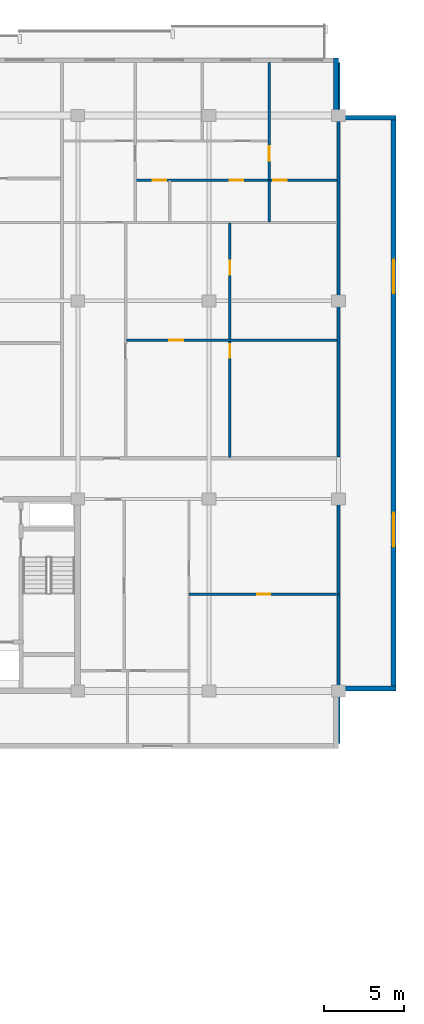
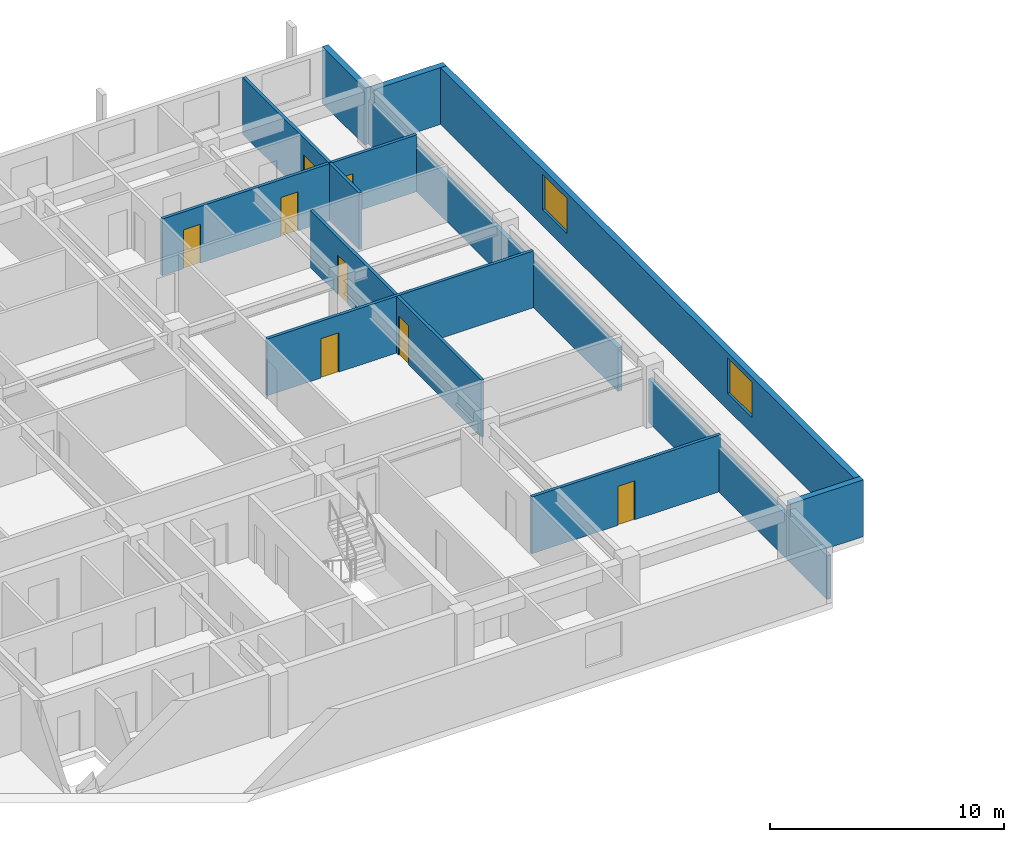
# One storey, part 17 of 23: 12 walls, 8 doors, 2 windows, 10 openings.
"""IFC4 building model written with IfcOpenShell, lengths in metres."""

import ifcopenshell
import ifcopenshell.guid

model = None  # the IFC model being written
_history = None  # IfcOwnerHistory: only IFC2X3 demands one
_inside = {}  # id of a spatial element -> (the spatial element, [elements in it])
_under = {}  # id of a project, library or spatial element -> (it, [spatial elements below it])
_declared = {}  # id of a project -> (the project, [libraries it declares])
_typed = {}  # id of a type object -> (the type object, [elements of that type])
_made_of = {}  # id of a material, layer set ... -> (it, [elements and type objects made of it])


def new_model(schema):
    """Start an empty IFC model of exactly this schema.

    Asked for "IFC4X3", IfcOpenShell would pick the latest addendum, in which some entities
    have other attributes; the version numbers below select the first issue.
    IFC2X3 requires an IfcOwnerHistory on every rooted entity: one is made here for all.
    """
    global model, _history
    if schema == "IFC4X3":
        model = ifcopenshell.file(schema_version=(4, 3, 0, 0))
    else:
        model = ifcopenshell.file(schema=schema)
    _inside.clear()
    _under.clear()
    _declared.clear()
    _typed.clear()
    _made_of.clear()
    _history = None
    if model.schema == "IFC2X3":
        org = make("IfcOrganization", Name="unknown")
        user = make(
            "IfcPersonAndOrganization",
            ThePerson=make("IfcPerson", FamilyName="unknown"),
            TheOrganization=org,
        )
        app = make(
            "IfcApplication",
            ApplicationDeveloper=org,
            Version="unknown",
            ApplicationFullName="unknown",
            ApplicationIdentifier="unknown",
        )
        _history = make(
            "IfcOwnerHistory",
            OwningUser=user,
            OwningApplication=app,
            ChangeAction="ADDED",
            CreationDate=0,
        )
    return model


def make(cls, **values):
    """One entity of the class cls with the attributes given. An attribute that is None is left unset."""
    return model.create_entity(
        cls, **{name: value for name, value in values.items() if value is not None}
    )


def rooted(cls, **values):
    """An entity with a GlobalId (a new one), such as an element, a storey or a relation."""
    return make(cls, GlobalId=ifcopenshell.guid.new(), OwnerHistory=_history, **values)


def si_unit(unit_type, name, prefix=None):
    """IfcSIUnit, for example si_unit("LENGTHUNIT", "METRE", prefix="MILLI")."""
    return make("IfcSIUnit", UnitType=unit_type, Prefix=prefix, Name=name)


def assignment(units):
    """IfcUnitAssignment: the units of a project."""
    return None if units is None else make("IfcUnitAssignment", Units=units)


def point(xyz):
    """IfcCartesianPoint."""
    return None if xyz is None else make("IfcCartesianPoint", Coordinates=xyz)


def direction(xyz):
    """IfcDirection."""
    return None if xyz is None else make("IfcDirection", DirectionRatios=xyz)


def frame(location, z_axis=None, x_axis=None):
    """IfcAxis2Placement3D, a coordinate frame: its origin and axes. An axis left out is left unset."""
    return make(
        "IfcAxis2Placement3D",
        Location=point(location),
        Axis=direction(z_axis),
        RefDirection=direction(x_axis),
    )


def frame_2d(location, x_axis=None):
    """IfcAxis2Placement2D, a coordinate frame in the plane: its origin and x axis."""
    return make(
        "IfcAxis2Placement2D", Location=point(location), RefDirection=direction(x_axis)
    )


def origin():
    """The frame at (0, 0, 0) with its axes left unset."""
    return frame((0.0, 0.0, 0.0))


def place(relative_to, where):
    """IfcLocalPlacement: puts the frame where relative to a parent placement (None: the world)."""
    return make(
        "IfcLocalPlacement", PlacementRelTo=relative_to, RelativePlacement=where
    )


def context(
    kind, dimensions, precision=None, world=None, true_north=None, identifier=None
):
    """IfcGeometricRepresentationContext, for example the 3D "Model" context."""
    return make(
        "IfcGeometricRepresentationContext",
        ContextIdentifier=identifier,
        ContextType=kind,
        CoordinateSpaceDimension=dimensions,
        Precision=precision,
        WorldCoordinateSystem=world,
        TrueNorth=true_north,
    )


def subcontext(parent, identifier, kind, view, scale=None):
    """IfcGeometricRepresentationSubContext, for example "Body" below "Model"."""
    return make(
        "IfcGeometricRepresentationSubContext",
        ContextIdentifier=identifier,
        ContextType=kind,
        ParentContext=parent,
        TargetScale=scale,
        TargetView=view,
    )


def project(units=None, contexts=None):
    """IfcProject with its units and contexts."""
    return rooted(
        "IfcProject",
        Name="project",
        RepresentationContexts=contexts,
        UnitsInContext=assignment(units),
    )


def spatial(cls, under=None, at=None, **own):
    """A site, building, storey or space (cls), placed at a placement, below another one or the project."""
    s = rooted(cls, ObjectPlacement=at, **own)
    if under is not None:
        _under.setdefault(under.id(), (under, []))[1].append(s)
    return s


def profile(cls, at=None, kind="AREA", **sizes):
    """A parametric profile (cls). Its sizes go by their IFC names, for example OverallWidth=200.0."""
    return make(cls, ProfileType=kind, Position=at, **sizes)


def rectangle(**sizes):
    """IfcRectangleProfileDef."""
    return profile("IfcRectangleProfileDef", **sizes)


def extrude(swept, where, along, depth):
    """IfcExtrudedAreaSolid: the profile swept, set in the frame where, extruded along a direction by depth."""
    return make(
        "IfcExtrudedAreaSolid",
        SweptArea=swept,
        Position=where,
        ExtrudedDirection=direction(along),
        Depth=depth,
    )


def shape(context_of_items, identifier, shape_type, items):
    """IfcShapeRepresentation: the items that make up one representation, for example the "Body"."""
    return make(
        "IfcShapeRepresentation",
        ContextOfItems=context_of_items,
        RepresentationIdentifier=identifier,
        RepresentationType=shape_type,
        Items=items,
    )


def material(Name=None, Category=None):
    """IfcMaterial."""
    return make("IfcMaterial", Name=Name, Category=Category)


def layer(
    of_material, thickness, ventilated=None, Name=None, Category=None, Priority=None
):
    """IfcMaterialLayer: one layer of a wall or slab, of a material (None: an air gap)."""
    return make(
        "IfcMaterialLayer",
        Material=of_material,
        LayerThickness=thickness,
        IsVentilated=ventilated,
        Name=Name,
        Category=Category,
        Priority=Priority,
    )


def layer_set(layers, Name=None):
    """IfcMaterialLayerSet."""
    return make("IfcMaterialLayerSet", MaterialLayers=layers, LayerSetName=Name)


def made_of(thing, what):
    """Note that an element or type object is made of a material, layer set ...; save() writes the relation."""
    if what is not None:
        _made_of.setdefault(what.id(), (what, []))[1].append(thing)
    return thing


def type_object(cls, material=None, **own):
    """A type object (cls), such as IfcWallType, which elements share."""
    return made_of(rooted(cls, **own), material)


def element(
    cls,
    number,
    at=None,
    inside=None,
    cuts=None,
    type_object=None,
    material=None,
    context=None,
    identifier="Body",
    shape_type=None,
    held_by="IfcProductDefinitionShape",
    body=None,
    shapes=None,
    **own,
):
    """One element of the class cls, such as IfcWall. Its Tag is "e" and its number.

    at: its placement. inside: the storey or other place that contains it. cuts: it is an
    opening in that element (IfcRelVoidsElement). A single representation is given by context,
    identifier, shape_type and body (its items); several are given by shapes. held_by: the class
    of the entity that holds the representations. save() writes the other relations.
    """
    e = rooted(cls, Tag="e%d" % number, ObjectPlacement=at, **own)
    if body is not None:
        shapes = [shape(context, identifier, shape_type, body)]
    if shapes is not None:
        e.Representation = make(held_by, Representations=shapes)
    if inside is not None:
        _inside.setdefault(inside.id(), (inside, []))[1].append(e)
    if cuts is not None:
        rooted(
            "IfcRelVoidsElement", RelatingBuildingElement=cuts, RelatedOpeningElement=e
        )
    if type_object is not None:
        _typed.setdefault(type_object.id(), (type_object, []))[1].append(e)
    return made_of(e, material)


def fill(opening, filler):
    """IfcRelFillsElement: the door or window that sits in an opening."""
    return rooted(
        "IfcRelFillsElement",
        RelatingOpeningElement=opening,
        RelatedBuildingElement=filler,
    )


def aggregate(whole, parts):
    """IfcRelAggregates: a whole, such as a stair, and the parts it consists of."""
    return rooted("IfcRelAggregates", RelatingObject=whole, RelatedObjects=parts)


def save(model, path):
    """Write the relations noted so far, then the file.

    IfcRelAggregates (storeys below a building ...), IfcRelContainedInSpatialStructure (elements
    in a storey), IfcRelDefinesByType, IfcRelAssociatesMaterial and IfcRelDeclares: one each for
    every whole, place, type object, material and project.
    """
    for whole, parts in _under.values():
        aggregate(whole, parts)
    for where, things in _inside.values():
        rooted(
            "IfcRelContainedInSpatialStructure",
            RelatedElements=things,
            RelatingStructure=where,
        )
    for kind, things in _typed.values():
        rooted("IfcRelDefinesByType", RelatedObjects=things, RelatingType=kind)
    for what, things in _made_of.values():
        rooted("IfcRelAssociatesMaterial", RelatedObjects=things, RelatingMaterial=what)
    for by, libraries in _declared.values():
        rooted("IfcRelDeclares", RelatingContext=by, RelatedDefinitions=libraries)
    model.write(path)


model = new_model("IFC4")

# Units and contexts
model_context = context("Model", 3, precision=1e-05, world=origin(), true_north=direction((0.0, 1.0)))
body_context = subcontext(model_context, "Body", "Model", "MODEL_VIEW")
ifc_project = project(units=[si_unit("LENGTHUNIT", "METRE"), si_unit("AREAUNIT", "SQUARE_METRE"), si_unit("VOLUMEUNIT", "CUBIC_METRE"), si_unit("PLANEANGLEUNIT", "RADIAN"), si_unit("MASSUNIT", "GRAM", prefix="KILO")], contexts=[model_context])

# Site, building, storey
site_placement = place(None, origin())
site = spatial("IfcSite", under=ifc_project, at=site_placement, CompositionType="ELEMENT")
building_placement = place(site_placement, origin())
building = spatial("IfcBuilding", under=site, at=building_placement, Name="Korimba Cascade Residences", CompositionType="ELEMENT")
storey_placement = place(building_placement, frame((0.0, 0.0, 162.10009765625)))
storey = spatial("IfcBuildingStorey", under=building, at=storey_placement, Name="L46", CompositionType="ELEMENT", Elevation=162.10009765625)

# Wall
ifc_material_1 = material(Name="Precast concrete C40/50", Category="concrete")
ifc_layer_1 = layer(ifc_material_1, 0.300048828125)
ifc_layer_set_1 = layer_set([ifc_layer_1], Name="Precast concrete C40/50")
wall_type_1 = type_object("IfcWallType", Name="EW-STONE-300", PredefinedType="STANDARD", material=ifc_layer_set_1)
wall_1_placement = place(storey_placement, frame((128.39990234375, 55.35009765625, 0.0), z_axis=(0.0, 0.0, 1.0), x_axis=(1.0, 0.0, 0.0)))
element("IfcWall", 1, at=wall_1_placement, inside=storey, type_object=wall_type_1, Name="L46 T1 Perimeter Stone Wall E02", PredefinedType="STANDARD", context=body_context, shape_type="SweptSolid", body=[
    extrude(rectangle(XDim=3.60009765625, YDim=0.300048828125, at=frame_2d((1.800048828125, 0.0))), origin(), (0.0, 0.0, 1.0), 2.969970703125),
])

# Wall, openings, windows
wall_2_placement = place(storey_placement, frame((131.85009765625, 55.199951171875, 0.0), z_axis=(0.0, 0.0, 1.0), x_axis=(0.0, 1.0, 0.0)))
wall_2 = element("IfcWall", 2, at=wall_2_placement, inside=storey, type_object=wall_type_1, Name="L46 T1 Perimeter Stone Wall E03", PredefinedType="STANDARD", context=body_context, shape_type="SweptSolid", body=[
    extrude(rectangle(XDim=36.0, YDim=0.300048828125, at=frame_2d((18.0, 0.0))), origin(), (0.0, 0.0, 1.0), 2.969970703125),
])
opening_1_placement = place(wall_2_placement, frame((9.030029296875, 0.0, 0.85009765625)))
opening_1 = element("IfcOpeningElement", 3, at=opening_1_placement, cuts=wall_2, Name="Opening W-03", PredefinedType="OPENING", context=body_context, shape_type="SweptSolid", body=[
    extrude(rectangle(XDim=2.10009765625, YDim=1.85009765625, at=frame_2d((1.050048828125, 0.925048828125))), frame((0.0, 0.16015625, 0.0), z_axis=(0.0, -1.0, 0.0), x_axis=(1.0, 0.0, 0.0)), (0.0, 0.0, 1.0), 0.320068359375),
])
opening_2_placement = place(wall_2_placement, frame((24.8701171875, 0.0, 0.85009765625)))
opening_2 = element("IfcOpeningElement", 4, at=opening_2_placement, cuts=wall_2, Name="Opening W-03", PredefinedType="OPENING", context=body_context, shape_type="SweptSolid", body=[
    extrude(rectangle(XDim=2.10009765625, YDim=1.85009765625, at=frame_2d((1.050048828125, 0.925048828125))), frame((0.0, 0.16015625, 0.0), z_axis=(0.0, -1.0, 0.0), x_axis=(1.0, 0.0, 0.0)), (0.0, 0.0, 1.0), 0.320068359375),
])
ifc_material_2 = material(Name="Double-Glazed Aluminium Window", Category="aluminium")
window_type = type_object("IfcWindowType", Name="WIN-CRN-2100", PartitioningType="DOUBLE_PANEL_HORIZONTAL", PredefinedType="WINDOW", material=ifc_material_2)
window_1_placement = place(opening_1_placement, origin())
window_1 = element("IfcWindow", 5, at=window_1_placement, inside=storey, type_object=window_type, Name="L46 T1 End View Window 3.1", OverallHeight=1.85009765625, OverallWidth=2.10009765625, PartitioningType="DOUBLE_PANEL_HORIZONTAL", PredefinedType="WINDOW", context=body_context, shape_type="SweptSolid", body=[
    extrude(rectangle(XDim=2.10009765625, YDim=1.85009765625, at=frame_2d((1.050048828125, 0.925048828125))), frame((0.0, 0.030029296875, 0.0), z_axis=(0.0, -1.0, 0.0), x_axis=(1.0, 0.0, 0.0)), (0.0, 0.0, 1.0), 0.06005859375),
])
fill(opening_1, window_1)
window_2_placement = place(opening_2_placement, origin())
window_2 = element("IfcWindow", 6, at=window_2_placement, inside=storey, type_object=window_type, Name="L46 T1 End View Window 3.2", OverallHeight=1.85009765625, OverallWidth=2.10009765625, PartitioningType="DOUBLE_PANEL_HORIZONTAL", PredefinedType="WINDOW", context=body_context, shape_type="SweptSolid", body=[
    extrude(rectangle(XDim=2.10009765625, YDim=1.85009765625, at=frame_2d((1.050048828125, 0.925048828125))), frame((0.0, 0.030029296875, 0.0), z_axis=(0.0, -1.0, 0.0), x_axis=(1.0, 0.0, 0.0)), (0.0, 0.0, 1.0), 0.06005859375),
])
fill(opening_2, window_2)

# Walls
for number, where, z_axis, x_axis, name in (
    (7, (132.0, 91.050048828125, 0.0), (0.0, 0.0, 1.0), (-1.0, 0.0, 0.0), "L46 T1 Perimeter Stone Wall E04"),
    (8, (128.25, 91.199951171875, 0.0), (0.0, 0.0, 1.0), (0.0, 1.0, 0.0), "L46 T1 Perimeter Stone Wall E05"),
):
    element("IfcWall", number, at=place(storey_placement, frame(where, z_axis=z_axis, x_axis=x_axis)), inside=storey, type_object=wall_type_1, Name=name, PredefinedType="STANDARD", context=body_context, shape_type="SweptSolid", body=[
        extrude(rectangle(XDim=3.60009765625, YDim=0.300048828125, at=frame_2d((1.800048828125, 0.0))), origin(), (0.0, 0.0, 1.0), 2.969970703125),
    ])
ifc_layer_2 = layer(ifc_material_1, 0.199951171875)
ifc_layer_set_2 = layer_set([ifc_layer_2], Name="Precast concrete C40/50")
wall_type_2 = type_object("IfcWallType", Name="WAL-IT-200", PredefinedType="PARTITIONING", material=ifc_layer_set_2)
wall_3_placement = place(storey_placement, frame((128.39990234375, 51.89990234375, 0.0), z_axis=(0.0, 0.0, 1.0), x_axis=(0.0, 1.0, 0.0)))
element("IfcWall", 9, at=wall_3_placement, inside=storey, type_object=wall_type_2, Name="L46 Partition Wall WAL-L46-T1-FE-WR", PredefinedType="PARTITIONING", context=body_context, shape_type="SweptSolid", body=[
    extrude(rectangle(XDim=15.300048828125, YDim=0.199951171875, at=frame_2d((7.64990234375, 0.0))), origin(), (0.0, 0.0, 1.0), 2.277099609375),
])
wall_4_placement = place(storey_placement, frame((128.39990234375, 69.830078125, 0.0), z_axis=(0.0, 0.0, 1.0), x_axis=(0.0, 1.0, 0.0)))
element("IfcWall", 10, at=wall_4_placement, inside=storey, type_object=wall_type_2, Name="L46 Partition Wall WAL-L46-T1-BNDWR", PredefinedType="PARTITIONING", context=body_context, shape_type="SweptSolid", body=[
    extrude(rectangle(XDim=24.669921875, YDim=0.199951171875, at=frame_2d((12.3349609375, 0.0))), origin(), (0.0, 0.0, 1.0), 2.277099609375),
])

# Wall, opening, door
ifc_material_3 = material(Name="Insulated Acoustic Stud Partition", Category="gypsum")
ifc_layer_3 = layer(ifc_material_3, 0.14990234375)
ifc_layer_set_3 = layer_set([ifc_layer_3], Name="Insulated Acoustic Stud Partition")
wall_type_3 = type_object("IfcWallType", Name="WAL-PART-150", PredefinedType="PARTITIONING", material=ifc_layer_set_3)
wall_5_placement = place(storey_placement, frame((119.050048828125, 61.25, 0.0), z_axis=(0.0, 0.0, 1.0), x_axis=(1.0, 0.0, 0.0)))
wall_5 = element("IfcWall", 11, at=wall_5_placement, inside=storey, type_object=wall_type_3, Name="L46 Partition Wall WAL-L46-T1-FE-STH", PredefinedType="PARTITIONING", context=body_context, shape_type="SweptSolid", body=[
    extrude(rectangle(XDim=9.349853515625, YDim=0.14990234375, at=frame_2d((4.6748046875, 0.0))), origin(), (0.0, 0.0, 1.0), 2.969970703125),
])
opening_3_placement = place(wall_5_placement, frame((4.2548828125, 0.0, 0.0)))
opening_3 = element("IfcOpeningElement", 12, at=opening_3_placement, cuts=wall_5, Name="Opening D-BT1", PredefinedType="OPENING", context=body_context, shape_type="SweptSolid", body=[
    extrude(rectangle(XDim=0.840087890625, YDim=2.0400390625, at=frame_2d((0.419921875, 1.02001953125))), frame((0.0, 0.0849609375, 0.0), z_axis=(0.0, -1.0, 0.0), x_axis=(1.0, 0.0, 0.0)), (0.0, 0.0, 1.0), 0.169921875),
])
ifc_material_4 = material(Name="Moisture-Resistant Bathroom Timber Door", Category="wood")
door_type_1 = type_object("IfcDoorType", Name="DR-INT-850", OperationType="NOTDEFINED", PredefinedType="DOOR", material=ifc_material_4)
door_1_placement = place(opening_3_placement, origin())
door_1 = element("IfcDoor", 13, at=door_1_placement, inside=storey, type_object=door_type_1, Name="L46-T1-FE Dressing Store Door", OperationType="SINGLE_SWING_RIGHT", OverallHeight=2.0400390625, OverallWidth=0.840087890625, PredefinedType="DOOR", context=body_context, shape_type="SweptSolid", body=[
    extrude(rectangle(XDim=0.840087890625, YDim=2.0400390625, at=frame_2d((0.419921875, 1.02001953125))), frame((0.0, 0.02490234375, 0.0), z_axis=(0.0, -1.0, 0.0), x_axis=(1.0, 0.0, 0.0)), (0.0, 0.0, 1.0), 0.050048828125),
])
fill(opening_3, door_1)

# Wall, openings, doors
wall_6_placement = place(storey_placement, frame((121.610107421875, 69.81005859375, 0.0), z_axis=(0.0, 0.0, 1.0), x_axis=(0.0, 1.0, 0.0)))
wall_6 = element("IfcWall", 14, at=wall_6_placement, inside=storey, type_object=wall_type_3, Name="L46 Partition Wall WAL-L46-T1-U04-FMV", PredefinedType="PARTITIONING", context=body_context, shape_type="SweptSolid", body=[
    extrude(rectangle(XDim=14.64990234375, YDim=0.14990234375, at=frame_2d((7.324951171875, 0.0))), origin(), (0.0, 0.0, 1.0), 2.969970703125),
])
opening_4_placement = place(wall_6_placement, frame((6.235107421875, 0.0, 0.0)))
opening_4 = element("IfcOpeningElement", 15, at=opening_4_placement, cuts=wall_6, Name="Opening D-BT1", PredefinedType="OPENING", context=body_context, shape_type="SweptSolid", body=[
    extrude(rectangle(XDim=0.840087890625, YDim=2.0400390625, at=frame_2d((0.419921875, 1.02001953125))), frame((0.0, 0.0849609375, 0.0), z_axis=(0.0, -1.0, 0.0), x_axis=(1.0, 0.0, 0.0)), (0.0, 0.0, 1.0), 0.169921875),
])
opening_5_placement = place(wall_6_placement, frame((11.4326171875, 0.0, 0.0)))
opening_5 = element("IfcOpeningElement", 16, at=opening_5_placement, cuts=wall_6, Name="Opening D-IN2", PredefinedType="OPENING", context=body_context, shape_type="SweptSolid", body=[
    extrude(rectangle(XDim=0.8798828125, YDim=2.06005859375, at=frame_2d((0.43994140625, 1.030029296875))), frame((0.0, 0.0849609375, 0.0), z_axis=(0.0, -1.0, 0.0), x_axis=(1.0, 0.0, 0.0)), (0.0, 0.0, 1.0), 0.169921875),
])
door_2_placement = place(opening_4_placement, origin())
door_2 = element("IfcDoor", 17, at=door_2_placement, inside=storey, type_object=door_type_1, Name="L46-T1-U04 Wardrobe Door", OperationType="SINGLE_SWING_RIGHT", OverallHeight=2.0400390625, OverallWidth=0.840087890625, PredefinedType="DOOR", context=body_context, shape_type="SweptSolid", body=[
    extrude(rectangle(XDim=0.840087890625, YDim=2.0400390625, at=frame_2d((0.419921875, 1.02001953125))), frame((0.0, 0.02490234375, 0.0), z_axis=(0.0, -1.0, 0.0), x_axis=(1.0, 0.0, 0.0)), (0.0, 0.0, 1.0), 0.050048828125),
])
fill(opening_4, door_2)
ifc_material_5 = material(Name="Acoustic Timber Bedroom Door", Category="wood")
door_type_2 = type_object("IfcDoorType", Name="DR-INT-880", OperationType="NOTDEFINED", PredefinedType="DOOR", material=ifc_material_5)
door_3_placement = place(opening_5_placement, origin())
door_3 = element("IfcDoor", 18, at=door_3_placement, inside=storey, type_object=door_type_2, Name="L46-T1-U04 Music Lounge Door", OperationType="SINGLE_SWING_LEFT", OverallHeight=2.06005859375, OverallWidth=0.8798828125, PredefinedType="DOOR", context=body_context, shape_type="SweptSolid", body=[
    extrude(rectangle(XDim=0.8798828125, YDim=2.06005859375, at=frame_2d((0.43994140625, 1.030029296875))), frame((0.0, 0.02490234375, 0.0), z_axis=(0.0, -1.0, 0.0), x_axis=(1.0, 0.0, 0.0)), (0.0, 0.0, 1.0), 0.050048828125),
])
fill(opening_5, door_3)

# Wall, opening, door
wall_7_placement = place(storey_placement, frame((115.14013671875, 77.135009765625, 0.0), z_axis=(0.0, 0.0, 1.0), x_axis=(1.0, 0.0, 0.0)))
wall_7 = element("IfcWall", 19, at=wall_7_placement, inside=storey, type_object=wall_type_3, Name="L46 Partition Wall WAL-L46-T1-U04-FMH", PredefinedType="PARTITIONING", context=body_context, shape_type="SweptSolid", body=[
    extrude(rectangle(XDim=13.179931640625, YDim=0.14990234375, at=frame_2d((6.58984375, 0.0))), origin(), (0.0, 0.0, 1.0), 2.969970703125),
])
opening_6_placement = place(wall_7_placement, frame((2.6591796875, 0.0, 0.0)))
opening_6 = element("IfcOpeningElement", 20, at=opening_6_placement, cuts=wall_7, Name="Opening D-IN2", PredefinedType="OPENING", context=body_context, shape_type="SweptSolid", body=[
    extrude(rectangle(XDim=0.8798828125, YDim=2.06005859375, at=frame_2d((0.43994140625, 1.030029296875))), frame((0.0, 0.0849609375, 0.0), z_axis=(0.0, -1.0, 0.0), x_axis=(1.0, 0.0, 0.0)), (0.0, 0.0, 1.0), 0.169921875),
])
door_4_placement = place(opening_6_placement, origin())
door_4 = element("IfcDoor", 21, at=door_4_placement, inside=storey, type_object=door_type_2, Name="L46-T1-U04 Library Salon Door", OperationType="SINGLE_SWING_RIGHT", OverallHeight=2.06005859375, OverallWidth=0.8798828125, PredefinedType="DOOR", context=body_context, shape_type="SweptSolid", body=[
    extrude(rectangle(XDim=0.8798828125, YDim=2.06005859375, at=frame_2d((0.43994140625, 1.030029296875))), frame((0.0, 0.02490234375, 0.0), z_axis=(0.0, -1.0, 0.0), x_axis=(1.0, 0.0, 0.0)), (0.0, 0.0, 1.0), 0.050048828125),
])
fill(opening_6, door_4)

# Wall
wall_8_placement = place(storey_placement, frame((124.070068359375, 84.5400390625, 0.0), z_axis=(0.0, 0.0, 1.0), x_axis=(0.0, 1.0, 0.0)))
element("IfcWall", 22, at=wall_8_placement, inside=storey, type_object=wall_type_3, Name="L46 Partition Wall WAL-L46-T1-U04-VBATH", PredefinedType="PARTITIONING", context=body_context, shape_type="SweptSolid", body=[
    extrude(rectangle(XDim=2.580078125, YDim=0.14990234375, at=frame_2d((1.2900390625, 0.0))), origin(), (0.0, 0.0, 1.0), 2.969970703125),
])

# Wall, opening, door
wall_9_placement = place(storey_placement, frame((124.070068359375, 87.159912109375, 0.0), z_axis=(0.0, 0.0, 1.0), x_axis=(0.0, 1.0, 0.0)))
wall_9 = element("IfcWall", 23, at=wall_9_placement, inside=storey, type_object=wall_type_3, Name="L46 Partition Wall WAL-L46-T1-U04-V2FULL", PredefinedType="PARTITIONING", context=body_context, shape_type="SweptSolid", body=[
    extrude(rectangle(XDim=7.340087890625, YDim=0.14990234375, at=frame_2d((3.669921875, 0.0))), origin(), (0.0, 0.0, 1.0), 2.969970703125),
])
opening_7_placement = place(wall_9_placement, frame((1.199951171875, 0.0, 0.0)))
opening_7 = element("IfcOpeningElement", 24, at=opening_7_placement, cuts=wall_9, Name="Opening D-IN1", PredefinedType="OPENING", context=body_context, shape_type="SweptSolid", body=[
    extrude(rectangle(XDim=0.919921875, YDim=2.080078125, at=frame_2d((0.4599609375, 1.0400390625))), frame((0.0, 0.0849609375, 0.0), z_axis=(0.0, -1.0, 0.0), x_axis=(1.0, 0.0, 0.0)), (0.0, 0.0, 1.0), 0.169921875),
])
ifc_material_6 = material(Name="Acoustic Timber Living Door", Category="wood")
door_type_3 = type_object("IfcDoorType", Name="DR-INT-920", OperationType="NOTDEFINED", PredefinedType="DOOR", material=ifc_material_6)
door_5_placement = place(opening_7_placement, origin())
door_5 = element("IfcDoor", 25, at=door_5_placement, inside=storey, type_object=door_type_3, Name="L46-T1-U04 Master Bedroom Door", OperationType="SINGLE_SWING_LEFT", OverallHeight=2.080078125, OverallWidth=0.919921875, PredefinedType="DOOR", context=body_context, shape_type="SweptSolid", body=[
    extrude(rectangle(XDim=0.919921875, YDim=2.080078125, at=frame_2d((0.4599609375, 1.0400390625))), frame((0.0, 0.02490234375, 0.0), z_axis=(0.0, -1.0, 0.0), x_axis=(1.0, 0.0, 0.0)), (0.0, 0.0, 1.0), 0.050048828125),
])
fill(opening_7, door_5)

# Wall, openings, doors
wall_10_placement = place(storey_placement, frame((115.72998046875, 87.139892578125, 0.0), z_axis=(0.0, 0.0, 1.0), x_axis=(1.0, 0.0, 0.0)))
wall_10 = element("IfcWall", 26, at=wall_10_placement, inside=storey, type_object=wall_type_3, Name="L46 Partition Wall WAL-L46-T1-U04-HWALL", PredefinedType="PARTITIONING", context=body_context, shape_type="SweptSolid", body=[
    extrude(rectangle(XDim=12.590087890625, YDim=0.14990234375, at=frame_2d((6.294921875, 0.0))), origin(), (0.0, 0.0, 1.0), 2.969970703125),
])
opening_8_placement = place(wall_10_placement, frame((1.050048828125, 0.0, 0.0)))
opening_8 = element("IfcOpeningElement", 27, at=opening_8_placement, cuts=wall_10, Name="Opening D-BT1", PredefinedType="OPENING", context=body_context, shape_type="SweptSolid", body=[
    extrude(rectangle(XDim=0.840087890625, YDim=2.0400390625, at=frame_2d((0.419921875, 1.02001953125))), frame((0.0, 0.0849609375, 0.0), z_axis=(0.0, -1.0, 0.0), x_axis=(1.0, 0.0, 0.0)), (0.0, 0.0, 1.0), 0.169921875),
])
opening_9_placement = place(wall_10_placement, frame((5.875, 0.0, 0.0)))
opening_9 = element("IfcOpeningElement", 28, at=opening_9_placement, cuts=wall_10, Name="Opening D-BT1", PredefinedType="OPENING", context=body_context, shape_type="SweptSolid", body=[
    extrude(rectangle(XDim=0.840087890625, YDim=2.0400390625, at=frame_2d((0.419921875, 1.02001953125))), frame((0.0, 0.0849609375, 0.0), z_axis=(0.0, -1.0, 0.0), x_axis=(1.0, 0.0, 0.0)), (0.0, 0.0, 1.0), 0.169921875),
])
opening_10_placement = place(wall_10_placement, frame((8.58984375, 0.0, 0.0)))
opening_10 = element("IfcOpeningElement", 29, at=opening_10_placement, cuts=wall_10, Name="Opening D-BT1", PredefinedType="OPENING", context=body_context, shape_type="SweptSolid", body=[
    extrude(rectangle(XDim=0.840087890625, YDim=2.0400390625, at=frame_2d((0.419921875, 1.02001953125))), frame((0.0, 0.0849609375, 0.0), z_axis=(0.0, -1.0, 0.0), x_axis=(1.0, 0.0, 0.0)), (0.0, 0.0, 1.0), 0.169921875),
])
door_6_placement = place(opening_8_placement, origin())
door_6 = element("IfcDoor", 30, at=door_6_placement, inside=storey, type_object=door_type_1, Name="L46-T1-U04 Family Bathroom Door", OperationType="SINGLE_SWING_RIGHT", OverallHeight=2.0400390625, OverallWidth=0.840087890625, PredefinedType="DOOR", context=body_context, shape_type="SweptSolid", body=[
    extrude(rectangle(XDim=0.840087890625, YDim=2.0400390625, at=frame_2d((0.419921875, 1.02001953125))), frame((0.0, 0.02490234375, 0.0), z_axis=(0.0, -1.0, 0.0), x_axis=(1.0, 0.0, 0.0)), (0.0, 0.0, 1.0), 0.050048828125),
])
fill(opening_8, door_6)
door_7_placement = place(opening_9_placement, origin())
door_7 = element("IfcDoor", 31, at=door_7_placement, inside=storey, type_object=door_type_1, Name="L46-T1-U04 Dressing Room Door", OperationType="SINGLE_SWING_LEFT", OverallHeight=2.0400390625, OverallWidth=0.840087890625, PredefinedType="DOOR", context=body_context, shape_type="SweptSolid", body=[
    extrude(rectangle(XDim=0.840087890625, YDim=2.0400390625, at=frame_2d((0.419921875, 1.02001953125))), frame((0.0, 0.02490234375, 0.0), z_axis=(0.0, -1.0, 0.0), x_axis=(1.0, 0.0, 0.0)), (0.0, 0.0, 1.0), 0.050048828125),
])
fill(opening_9, door_7)
door_8_placement = place(opening_10_placement, origin())
door_8 = element("IfcDoor", 32, at=door_8_placement, inside=storey, type_object=door_type_1, Name="L46-T1-U04 En-Suite Door", OperationType="SINGLE_SWING_RIGHT", OverallHeight=2.0400390625, OverallWidth=0.840087890625, PredefinedType="DOOR", context=body_context, shape_type="SweptSolid", body=[
    extrude(rectangle(XDim=0.840087890625, YDim=2.0400390625, at=frame_2d((0.419921875, 1.02001953125))), frame((0.0, 0.02490234375, 0.0), z_axis=(0.0, -1.0, 0.0), x_axis=(1.0, 0.0, 0.0)), (0.0, 0.0, 1.0), 0.050048828125),
])
fill(opening_10, door_8)

save(model, "model.ifc")
